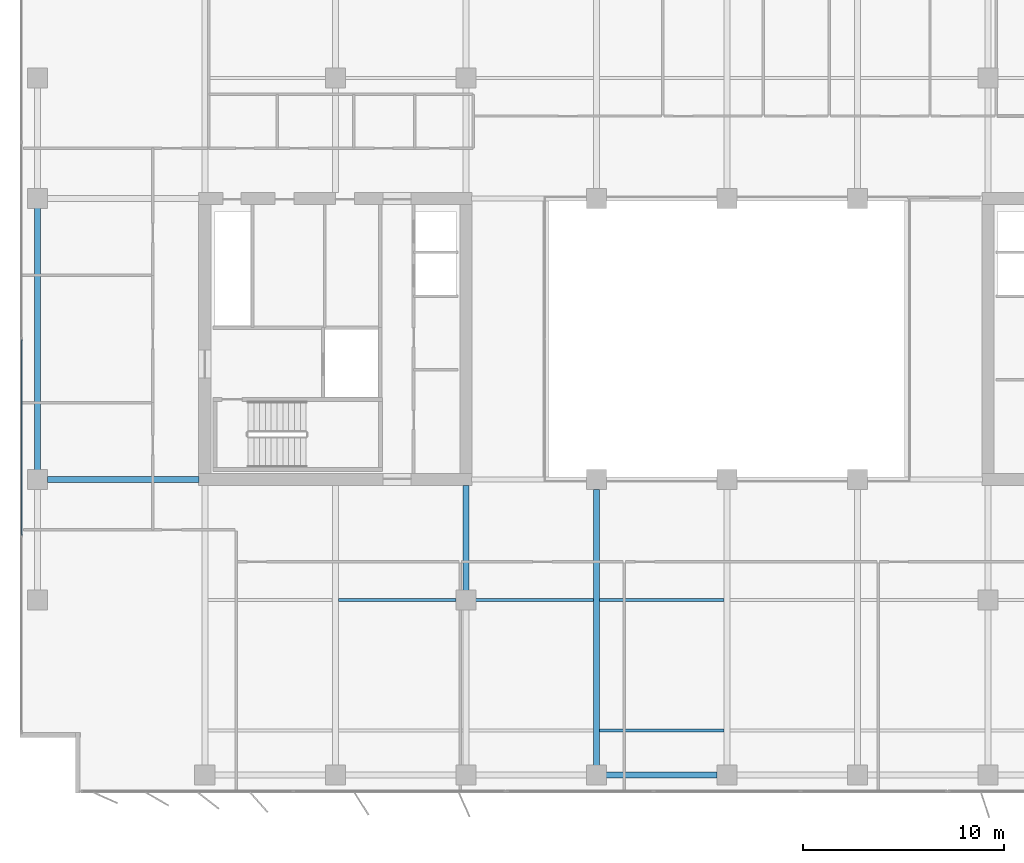
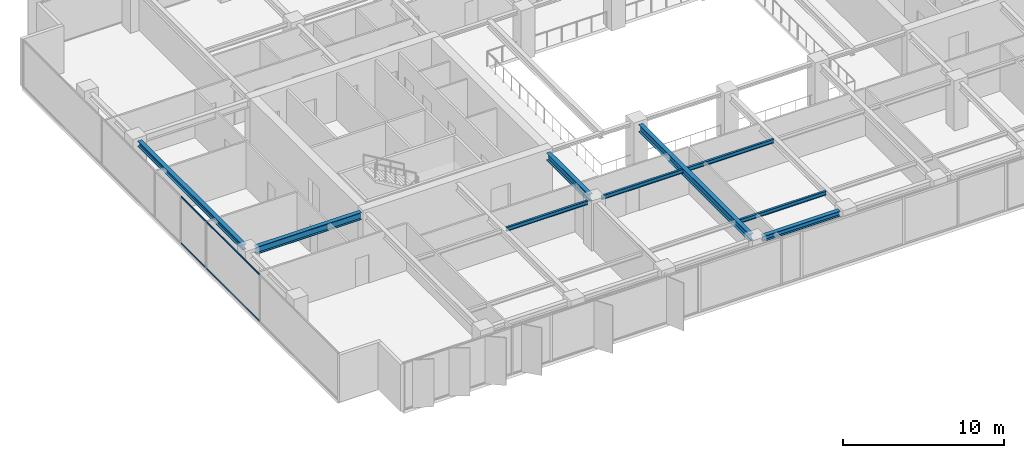
# One storey, part 3 of 22: 9 beams, 2 members, 1 element without a shape of its own.
"""IFC4 building model written with IfcOpenShell, lengths in metres."""

from ifc_helpers import new_model, si_unit, direction, frame, origin, origin_2d, place, context, subcontext, project, spatial, rectangle, i_section, extrude, material, layer, layer_set, material_profile, profile_set, type_object, element, aggregate, save


model = new_model("IFC4")

# Units and contexts
model_context = context("Model", 3, precision=1e-05, world=origin(), true_north=direction((0.0, 1.0)))
body_context = subcontext(model_context, "Body", "Model", "MODEL_VIEW")
ifc_project = project(units=[si_unit("LENGTHUNIT", "METRE"), si_unit("AREAUNIT", "SQUARE_METRE"), si_unit("VOLUMEUNIT", "CUBIC_METRE"), si_unit("PLANEANGLEUNIT", "RADIAN"), si_unit("MASSUNIT", "GRAM", prefix="KILO")], contexts=[model_context])

# Site, building, storey
site_placement = place(None, origin())
site = spatial("IfcSite", under=ifc_project, at=site_placement, CompositionType="ELEMENT")
building_placement = place(site_placement, origin())
building = spatial("IfcBuilding", under=site, at=building_placement, Name="Putna Gate Headquarters", CompositionType="ELEMENT")
storey_placement = place(building_placement, frame((0.0, 0.0, 186.0)))
storey = spatial("IfcBuildingStorey", under=building, at=storey_placement, Name="L46", CompositionType="ELEMENT", Elevation=186.0)

# Beams
ifc_material_1 = material(Name="Steel S355J2", Category="steel")
ifc_material_profile_1 = material_profile(ifc_material_1, i_section(OverallWidth=0.300048828125, OverallDepth=0.550048828125, WebThickness=0.014892578125, FlangeThickness=0.029052734375, at=origin_2d()), Name="Steel S355J2")
ifc_profile_set_1 = profile_set([ifc_material_profile_1], Name="Steel S355J2")
beam_type_1 = type_object("IfcBeamType", Name="BM-GIRD-Z3-HEB550", PredefinedType="USERDEFINED", material=ifc_profile_set_1)
beam_1_placement = place(storey_placement, frame((5.16796875, 19.0, 3.297119140625), z_axis=(1.0, 0.0, 0.0), x_axis=(0.0, 1.0, 0.0)))
element("IfcBeam", 1, at=beam_1_placement, inside=storey, type_object=beam_type_1, Name="L46 West Wing Girder Y19", ObjectType="GIRDER", PredefinedType="USERDEFINED", context=body_context, shape_type="SweptSolid", body=[
    extrude(i_section(OverallWidth=0.300048828125, OverallDepth=0.550048828125, WebThickness=0.014892578125, FlangeThickness=0.029052734375, at=origin_2d()), origin(), (0.0, 0.0, 1.0), 7.547119140625),
])
beam_2_placement = place(storey_placement, frame((26.0, 13.488037109375, 3.297119140625), z_axis=(0.0, 1.0, 0.0), x_axis=(-1.0, 0.0, 0.0)))
element("IfcBeam", 2, at=beam_2_placement, inside=storey, type_object=beam_type_1, Name="L46 South Primary Girder X26-2", ObjectType="GIRDER", PredefinedType="USERDEFINED", context=body_context, shape_type="SweptSolid", body=[
    extrude(i_section(OverallWidth=0.300048828125, OverallDepth=0.550048828125, WebThickness=0.014892578125, FlangeThickness=0.029052734375, at=origin_2d()), origin(), (0.0, 0.0, 1.0), 5.22705078125),
])
beam_3_placement = place(storey_placement, frame((32.5, 4.76806640625, 3.297119140625), z_axis=(0.0, 1.0, 0.0), x_axis=(-1.0, 0.0, 0.0)))
element("IfcBeam", 3, at=beam_3_placement, inside=storey, type_object=beam_type_1, Name="L46 South Primary Girder X32", ObjectType="GIRDER", PredefinedType="USERDEFINED", context=body_context, shape_type="SweptSolid", body=[
    extrude(i_section(OverallWidth=0.300048828125, OverallDepth=0.550048828125, WebThickness=0.014892578125, FlangeThickness=0.029052734375, at=origin_2d()), origin(), (0.0, 0.0, 1.0), 13.743896484375),
])
ifc_material_profile_2 = material_profile(ifc_material_1, i_section(OverallWidth=0.14990234375, OverallDepth=0.300048828125, WebThickness=0.007080078125, FlangeThickness=0.0107421875, at=origin_2d()), Name="Steel S355J2")
ifc_profile_set_2 = profile_set([ifc_material_profile_2], Name="Steel S355J2")
beam_type_2 = type_object("IfcBeamType", Name="BM-SEC-Z3-IPE300", PredefinedType="JOIST", material=ifc_profile_set_2)
for number, where, z_axis, x_axis, name in (
    (4, (19.654052734375, 13.0, 3.422119140625), (1.0, 0.0, 0.0), (0.0, 1.0, 0.0), "L46 South Secondary Beam 2"),
    (5, (26.488037109375, 13.0, 3.422119140625), (1.0, 0.0, 0.0), (0.0, 1.0, 0.0), "L46 South Secondary Beam 3"),
):
    element("IfcBeam", number, at=place(storey_placement, frame(where, z_axis=z_axis, x_axis=x_axis)), inside=storey, type_object=beam_type_2, Name=name, PredefinedType="JOIST", context=body_context, shape_type="SweptSolid", body=[
        extrude(i_section(OverallWidth=0.14990234375, OverallDepth=0.300048828125, WebThickness=0.007080078125, FlangeThickness=0.0107421875, at=origin_2d()), origin(), (0.0, 0.0, 1.0), 5.85791015625),
    ])
for number, where, z_axis, x_axis, name in (
    (6, (32.654052734375, 6.5, 3.422119140625), (1.0, 0.0, 0.0), (0.0, 1.0, 0.0), "L46 South Secondary Beam 4"),
    (7, (32.654052734375, 13.0, 3.422119140625), (1.0, 0.0, 0.0), (0.0, 1.0, 0.0), "L46 South Secondary Beam 4"),
):
    element("IfcBeam", number, at=place(storey_placement, frame(where, z_axis=z_axis, x_axis=x_axis)), inside=storey, type_object=beam_type_2, Name=name, PredefinedType="JOIST", context=body_context, shape_type="SweptSolid", body=[
        extrude(i_section(OverallWidth=0.14990234375, OverallDepth=0.300048828125, WebThickness=0.007080078125, FlangeThickness=0.0107421875, at=origin_2d()), origin(), (0.0, 0.0, 1.0), 6.19189453125),
    ])
ifc_material_profile_3 = material_profile(ifc_material_1, i_section(OverallWidth=0.300048828125, OverallDepth=0.39990234375, WebThickness=0.013427734375, FlangeThickness=0.02392578125, at=origin_2d()), Name="Steel S355J2")
ifc_profile_set_3 = profile_set([ifc_material_profile_3], Name="Steel S355J2")
beam_type_3 = type_object("IfcBeamType", Name="BM-SPAN-Z3-HEB400", PredefinedType="SPANDREL", material=ifc_profile_set_3)
beam_4_placement = place(storey_placement, frame((32.988037109375, 4.280029296875, 3.3720703125), z_axis=(1.0, 0.0, 0.0), x_axis=(0.0, 1.0, 0.0)))
element("IfcBeam", 8, at=beam_4_placement, inside=storey, type_object=beam_type_3, Name="L46 S Perimeter Spandrel 4", PredefinedType="SPANDREL", context=body_context, shape_type="SweptSolid", body=[
    extrude(i_section(OverallWidth=0.300048828125, OverallDepth=0.39990234375, WebThickness=0.013427734375, FlangeThickness=0.02392578125, at=origin_2d()), origin(), (0.0, 0.0, 1.0), 5.52392578125),
])
beam_5_placement = place(storey_placement, frame((4.679931640625, 19.488037109375, 3.3720703125), z_axis=(0.0, 1.0, 0.0), x_axis=(-1.0, 0.0, 0.0)))
element("IfcBeam", 9, at=beam_5_placement, inside=storey, type_object=beam_type_3, Name="L46 W End Spandrel 2", PredefinedType="SPANDREL", context=body_context, shape_type="SweptSolid", body=[
    extrude(i_section(OverallWidth=0.300048828125, OverallDepth=0.39990234375, WebThickness=0.013427734375, FlangeThickness=0.02392578125, at=origin_2d()), origin(), (0.0, 0.0, 1.0), 13.02392578125),
])

# Curtain wall, members
ifc_material_2 = material(Name="Anodised bronze aluminium curtain wall", Category="aluminium")
ifc_layer = layer(ifc_material_2, 0.159912109375)
ifc_layer_set = layer_set([ifc_layer], Name="Anodised bronze aluminium curtain wall")
curtain_wall_type = type_object("IfcCurtainWallType", Name="CW-SYS-Z3", PredefinedType="USERDEFINED", material=ifc_layer_set)
curtain_wall_placement = place(storey_placement, origin())
curtain_wall = element("IfcCurtainWall", 10, at=curtain_wall_placement, inside=storey, type_object=curtain_wall_type, Name="L46 West Curtain Wall", ObjectType="STICK CURTAIN WALL", PredefinedType="USERDEFINED")
ifc_material_3 = material(Name="Anodised bronze aluminium EN AW-6060", Category="aluminium")
ifc_material_profile_4 = material_profile(ifc_material_3, rectangle(XDim=0.06005859375, YDim=0.10009765625, at=origin_2d()), Name="Anodised bronze aluminium EN AW-6060")
ifc_profile_set_4 = profile_set([ifc_material_profile_4], Name="Anodised bronze aluminium EN AW-6060")
member_type = type_object("IfcMemberType", Name="TRAN-CWT-3", PredefinedType="USERDEFINED", material=ifc_profile_set_4)
member_1_placement = place(storey_placement, frame((3.8798828125, 16.232421875, 0.030029296875), z_axis=(0.0, 1.0, 0.0), x_axis=(-1.0, 0.0, 0.0)))
member_1 = element("IfcMember", 11, at=member_1_placement, type_object=member_type, Name="CWS-3 transom 2.1", ObjectType="TRANSOM", PredefinedType="USERDEFINED", context=body_context, shape_type="SweptSolid", body=[
    extrude(rectangle(XDim=0.06005859375, YDim=0.10009765625, at=origin_2d()), origin(), (0.0, 0.0, 1.0), 9.735107421875),
])
member_2_placement = place(storey_placement, frame((3.8798828125, 16.232421875, 3.5419921875), z_axis=(0.0, 1.0, 0.0), x_axis=(-1.0, 0.0, 0.0)))
member_2 = element("IfcMember", 12, at=member_2_placement, type_object=member_type, Name="CWS-3 transom 2.2", ObjectType="TRANSOM", PredefinedType="USERDEFINED", context=body_context, shape_type="SweptSolid", body=[
    extrude(rectangle(XDim=0.06005859375, YDim=0.10009765625, at=origin_2d()), origin(), (0.0, 0.0, 1.0), 9.735107421875),
])
aggregate(curtain_wall, [member_1, member_2])

save(model, "model.ifc")
